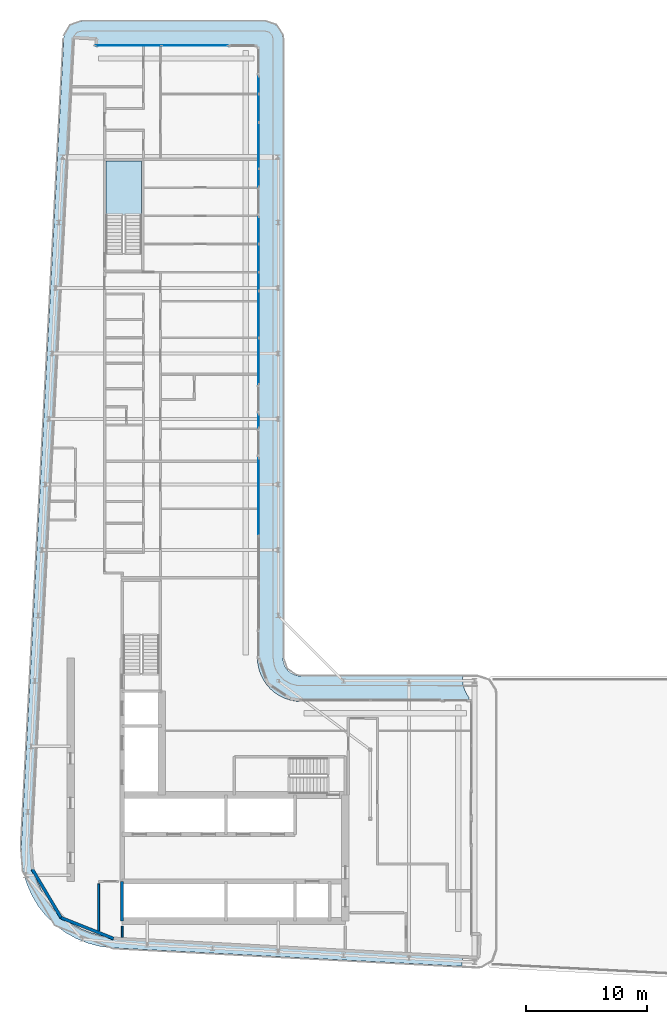
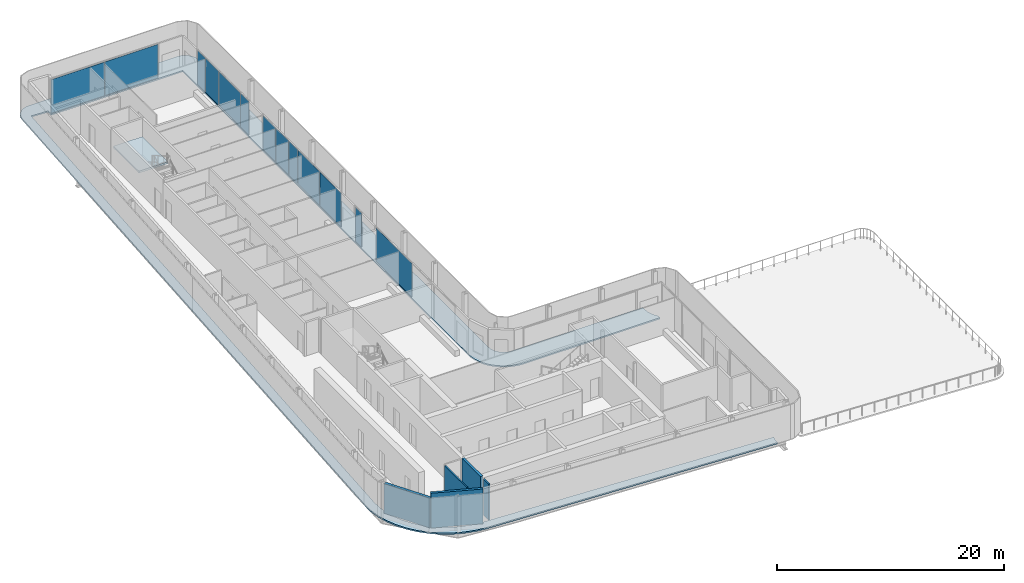
# One storey, part 10 of 22: 13 plates, 5 walls, 2 slabs, 8 elements without a shape of their own.
"""IFC4 building model written with IfcOpenShell, lengths in metres."""

import ifcopenshell
import ifcopenshell.guid

model = None  # the IFC model being written
_history = None  # IfcOwnerHistory: only IFC2X3 demands one
_inside = {}  # id of a spatial element -> (the spatial element, [elements in it])
_under = {}  # id of a project, library or spatial element -> (it, [spatial elements below it])
_declared = {}  # id of a project -> (the project, [libraries it declares])
_typed = {}  # id of a type object -> (the type object, [elements of that type])
_made_of = {}  # id of a material, layer set ... -> (it, [elements and type objects made of it])


def new_model(schema):
    """Start an empty IFC model of exactly this schema.

    Asked for "IFC4X3", IfcOpenShell would pick the latest addendum, in which some entities
    have other attributes; the version numbers below select the first issue.
    IFC2X3 requires an IfcOwnerHistory on every rooted entity: one is made here for all.
    """
    global model, _history
    if schema == "IFC4X3":
        model = ifcopenshell.file(schema_version=(4, 3, 0, 0))
    else:
        model = ifcopenshell.file(schema=schema)
    _inside.clear()
    _under.clear()
    _declared.clear()
    _typed.clear()
    _made_of.clear()
    _history = None
    if model.schema == "IFC2X3":
        org = make("IfcOrganization", Name="unknown")
        user = make(
            "IfcPersonAndOrganization",
            ThePerson=make("IfcPerson", FamilyName="unknown"),
            TheOrganization=org,
        )
        app = make(
            "IfcApplication",
            ApplicationDeveloper=org,
            Version="unknown",
            ApplicationFullName="unknown",
            ApplicationIdentifier="unknown",
        )
        _history = make(
            "IfcOwnerHistory",
            OwningUser=user,
            OwningApplication=app,
            ChangeAction="ADDED",
            CreationDate=0,
        )
    return model


def make(cls, **values):
    """One entity of the class cls with the attributes given. An attribute that is None is left unset."""
    return model.create_entity(
        cls, **{name: value for name, value in values.items() if value is not None}
    )


def rooted(cls, **values):
    """An entity with a GlobalId (a new one), such as an element, a storey or a relation."""
    return make(cls, GlobalId=ifcopenshell.guid.new(), OwnerHistory=_history, **values)


def si_unit(unit_type, name, prefix=None):
    """IfcSIUnit, for example si_unit("LENGTHUNIT", "METRE", prefix="MILLI")."""
    return make("IfcSIUnit", UnitType=unit_type, Prefix=prefix, Name=name)


def assignment(units):
    """IfcUnitAssignment: the units of a project."""
    return None if units is None else make("IfcUnitAssignment", Units=units)


def point(xyz):
    """IfcCartesianPoint."""
    return None if xyz is None else make("IfcCartesianPoint", Coordinates=xyz)


def direction(xyz):
    """IfcDirection."""
    return None if xyz is None else make("IfcDirection", DirectionRatios=xyz)


def frame(location, z_axis=None, x_axis=None):
    """IfcAxis2Placement3D, a coordinate frame: its origin and axes. An axis left out is left unset."""
    return make(
        "IfcAxis2Placement3D",
        Location=point(location),
        Axis=direction(z_axis),
        RefDirection=direction(x_axis),
    )


def frame_2d(location, x_axis=None):
    """IfcAxis2Placement2D, a coordinate frame in the plane: its origin and x axis."""
    return make(
        "IfcAxis2Placement2D", Location=point(location), RefDirection=direction(x_axis)
    )


def origin():
    """The frame at (0, 0, 0) with its axes left unset."""
    return frame((0.0, 0.0, 0.0))


def origin_2d():
    """The frame at (0, 0) in the plane with its x axis left unset."""
    return frame_2d((0.0, 0.0))


def place(relative_to, where):
    """IfcLocalPlacement: puts the frame where relative to a parent placement (None: the world)."""
    return make(
        "IfcLocalPlacement", PlacementRelTo=relative_to, RelativePlacement=where
    )


def context(
    kind, dimensions, precision=None, world=None, true_north=None, identifier=None
):
    """IfcGeometricRepresentationContext, for example the 3D "Model" context."""
    return make(
        "IfcGeometricRepresentationContext",
        ContextIdentifier=identifier,
        ContextType=kind,
        CoordinateSpaceDimension=dimensions,
        Precision=precision,
        WorldCoordinateSystem=world,
        TrueNorth=true_north,
    )


def subcontext(parent, identifier, kind, view, scale=None):
    """IfcGeometricRepresentationSubContext, for example "Body" below "Model"."""
    return make(
        "IfcGeometricRepresentationSubContext",
        ContextIdentifier=identifier,
        ContextType=kind,
        ParentContext=parent,
        TargetScale=scale,
        TargetView=view,
    )


def project(units=None, contexts=None):
    """IfcProject with its units and contexts."""
    return rooted(
        "IfcProject",
        Name="project",
        RepresentationContexts=contexts,
        UnitsInContext=assignment(units),
    )


def spatial(cls, under=None, at=None, **own):
    """A site, building, storey or space (cls), placed at a placement, below another one or the project."""
    s = rooted(cls, ObjectPlacement=at, **own)
    if under is not None:
        _under.setdefault(under.id(), (under, []))[1].append(s)
    return s


def polyline(points):
    """IfcPolyline through the points."""
    return make("IfcPolyline", Points=[point(p) for p in points])


def profile(cls, at=None, kind="AREA", **sizes):
    """A parametric profile (cls). Its sizes go by their IFC names, for example OverallWidth=200.0."""
    return make(cls, ProfileType=kind, Position=at, **sizes)


def rectangle(**sizes):
    """IfcRectangleProfileDef."""
    return profile("IfcRectangleProfileDef", **sizes)


def outline(outer, holes=None, kind="AREA"):
    """IfcArbitraryClosedProfileDef: a profile drawn as a closed curve; with holes, ...WithVoids."""
    if holes is None:
        return make("IfcArbitraryClosedProfileDef", ProfileType=kind, OuterCurve=outer)
    return make(
        "IfcArbitraryProfileDefWithVoids",
        ProfileType=kind,
        OuterCurve=outer,
        InnerCurves=holes,
    )


def extrude(swept, where, along, depth):
    """IfcExtrudedAreaSolid: the profile swept, set in the frame where, extruded along a direction by depth."""
    return make(
        "IfcExtrudedAreaSolid",
        SweptArea=swept,
        Position=where,
        ExtrudedDirection=direction(along),
        Depth=depth,
    )


def shape(context_of_items, identifier, shape_type, items):
    """IfcShapeRepresentation: the items that make up one representation, for example the "Body"."""
    return make(
        "IfcShapeRepresentation",
        ContextOfItems=context_of_items,
        RepresentationIdentifier=identifier,
        RepresentationType=shape_type,
        Items=items,
    )


def material(Name=None, Category=None):
    """IfcMaterial."""
    return make("IfcMaterial", Name=Name, Category=Category)


def layer(
    of_material, thickness, ventilated=None, Name=None, Category=None, Priority=None
):
    """IfcMaterialLayer: one layer of a wall or slab, of a material (None: an air gap)."""
    return make(
        "IfcMaterialLayer",
        Material=of_material,
        LayerThickness=thickness,
        IsVentilated=ventilated,
        Name=Name,
        Category=Category,
        Priority=Priority,
    )


def layer_set(layers, Name=None):
    """IfcMaterialLayerSet."""
    return make("IfcMaterialLayerSet", MaterialLayers=layers, LayerSetName=Name)


def made_of(thing, what):
    """Note that an element or type object is made of a material, layer set ...; save() writes the relation."""
    if what is not None:
        _made_of.setdefault(what.id(), (what, []))[1].append(thing)
    return thing


def type_object(cls, material=None, **own):
    """A type object (cls), such as IfcWallType, which elements share."""
    return made_of(rooted(cls, **own), material)


def element(
    cls,
    number,
    at=None,
    inside=None,
    cuts=None,
    type_object=None,
    material=None,
    context=None,
    identifier="Body",
    shape_type=None,
    held_by="IfcProductDefinitionShape",
    body=None,
    shapes=None,
    **own,
):
    """One element of the class cls, such as IfcWall. Its Tag is "e" and its number.

    at: its placement. inside: the storey or other place that contains it. cuts: it is an
    opening in that element (IfcRelVoidsElement). A single representation is given by context,
    identifier, shape_type and body (its items); several are given by shapes. held_by: the class
    of the entity that holds the representations. save() writes the other relations.
    """
    e = rooted(cls, Tag="e%d" % number, ObjectPlacement=at, **own)
    if body is not None:
        shapes = [shape(context, identifier, shape_type, body)]
    if shapes is not None:
        e.Representation = make(held_by, Representations=shapes)
    if inside is not None:
        _inside.setdefault(inside.id(), (inside, []))[1].append(e)
    if cuts is not None:
        rooted(
            "IfcRelVoidsElement", RelatingBuildingElement=cuts, RelatedOpeningElement=e
        )
    if type_object is not None:
        _typed.setdefault(type_object.id(), (type_object, []))[1].append(e)
    return made_of(e, material)


def aggregate(whole, parts):
    """IfcRelAggregates: a whole, such as a stair, and the parts it consists of."""
    return rooted("IfcRelAggregates", RelatingObject=whole, RelatedObjects=parts)


def save(model, path):
    """Write the relations noted so far, then the file.

    IfcRelAggregates (storeys below a building ...), IfcRelContainedInSpatialStructure (elements
    in a storey), IfcRelDefinesByType, IfcRelAssociatesMaterial and IfcRelDeclares: one each for
    every whole, place, type object, material and project.
    """
    for whole, parts in _under.values():
        aggregate(whole, parts)
    for where, things in _inside.values():
        rooted(
            "IfcRelContainedInSpatialStructure",
            RelatedElements=things,
            RelatingStructure=where,
        )
    for kind, things in _typed.values():
        rooted("IfcRelDefinesByType", RelatedObjects=things, RelatingType=kind)
    for what, things in _made_of.values():
        rooted("IfcRelAssociatesMaterial", RelatedObjects=things, RelatingMaterial=what)
    for by, libraries in _declared.values():
        rooted("IfcRelDeclares", RelatingContext=by, RelatedDefinitions=libraries)
    model.write(path)


model = new_model("IFC4")

# Units and contexts
model_context = context("Model", 3, precision=1e-05, world=origin(), true_north=direction((0.0, 1.0)))
body_context = subcontext(model_context, "Body", "Model", "MODEL_VIEW")
ifc_project = project(units=[si_unit("LENGTHUNIT", "METRE"), si_unit("AREAUNIT", "SQUARE_METRE"), si_unit("VOLUMEUNIT", "CUBIC_METRE"), si_unit("PLANEANGLEUNIT", "RADIAN"), si_unit("MASSUNIT", "GRAM", prefix="KILO")], contexts=[model_context])

# Site, building, storey
site_placement = place(None, origin())
site = spatial("IfcSite", under=ifc_project, at=site_placement, CompositionType="ELEMENT")
building_placement = place(site_placement, origin())
building = spatial("IfcBuilding", under=site, at=building_placement, Name="Kheshtan School and Residences Tower", CompositionType="ELEMENT")
storey_placement = place(building_placement, frame((0.0, 0.0, 274.699951171875)))
storey = spatial("IfcBuildingStorey", under=building, at=storey_placement, Name="L64", CompositionType="ELEMENT", Elevation=274.699951171875)

# Curtain wall, plates
ifc_material_1 = material(Name="Clear low-e glass in thermally broken aluminium frame", Category="aluminium")
ifc_layer_1 = layer(ifc_material_1, 0.199951171875)
ifc_layer_set_1 = layer_set([ifc_layer_1], Name="Curtain wall CW-L")
curtain_wall_type = type_object("IfcCurtainWallType", Name="Curtain wall CW-L", PredefinedType="NOTDEFINED", material=ifc_layer_set_1)
curtain_wall_1_placement = place(storey_placement, origin())
curtain_wall_1 = element("IfcCurtainWall", 1, at=curtain_wall_1_placement, inside=storey, type_object=curtain_wall_type, Name="Curtain wall CWL7", PredefinedType="NOTDEFINED")
ifc_layer_2 = layer(ifc_material_1, 0.031982421875)
ifc_layer_set_2 = layer_set([ifc_layer_2], Name="CW-L glass panel")
plate_type = type_object("IfcPlateType", Name="CW-L glass panel", PredefinedType="CURTAIN_PANEL", material=ifc_layer_set_2)
plate_1_placement = place(storey_placement, frame((35.259033203125, 98.0, 0.0), z_axis=(0.0, 0.0, 1.0), x_axis=(1.0, 0.0, 0.0)))
plate_1 = element("IfcPlate", 2, at=plate_1_placement, type_object=plate_type, Name="CWL7 panel 1.1", PredefinedType="CURTAIN_PANEL", context=body_context, shape_type="SweptSolid", body=[
    extrude(rectangle(XDim=5.4140625, YDim=0.031982421875, at=origin_2d()), origin(), (0.0, 0.0, 1.0), 3.6298828125),
])
plate_2_placement = place(storey_placement, frame((40.73291015625, 98.0, 0.0), z_axis=(0.0, 0.0, 1.0), x_axis=(1.0, 0.0, 0.0)))
plate_2 = element("IfcPlate", 3, at=plate_2_placement, type_object=plate_type, Name="CWL7 panel 2.1", PredefinedType="CURTAIN_PANEL", context=body_context, shape_type="SweptSolid", body=[
    extrude(rectangle(XDim=5.4140625, YDim=0.031982421875, at=origin_2d()), origin(), (0.0, 0.0, 1.0), 3.6298828125),
])
aggregate(curtain_wall_1, [plate_1, plate_2])

curtain_wall_2_placement = place(storey_placement, origin())
curtain_wall_2 = element("IfcCurtainWall", 4, at=curtain_wall_2_placement, inside=storey, type_object=curtain_wall_type, Name="Curtain wall CWL8c", PredefinedType="NOTDEFINED")
plate_3_placement = place(storey_placement, frame((46.0, 94.735107421875, 0.0), z_axis=(0.0, 0.0, 1.0), x_axis=(0.0, -1.0, 0.0)))
plate_3 = element("IfcPlate", 5, at=plate_3_placement, type_object=plate_type, Name="CWL8c panel 1.1", PredefinedType="CURTAIN_PANEL", context=body_context, shape_type="SweptSolid", body=[
    extrude(rectangle(XDim=1.409912109375, YDim=0.031982421875, at=origin_2d()), origin(), (0.0, 0.0, 1.0), 3.6298828125),
])
plate_4_placement = place(storey_placement, frame((46.0, 92.826416015625, 0.0), z_axis=(0.0, 0.0, 1.0), x_axis=(0.0, -1.0, 0.0)))
plate_4 = element("IfcPlate", 6, at=plate_4_placement, type_object=plate_type, Name="CWL8c panel 2.1", PredefinedType="CURTAIN_PANEL", context=body_context, shape_type="SweptSolid", body=[
    extrude(rectangle(XDim=2.287109375, YDim=0.031982421875, at=origin_2d()), origin(), (0.0, 0.0, 1.0), 3.6298828125),
])
plate_5_placement = place(storey_placement, frame((46.0, 89.744384765625, 0.0), z_axis=(0.0, 0.0, 1.0), x_axis=(0.0, -1.0, 0.0)))
plate_5 = element("IfcPlate", 7, at=plate_5_placement, type_object=plate_type, Name="CWL8c panel 3.1", PredefinedType="CURTAIN_PANEL", context=body_context, shape_type="SweptSolid", body=[
    extrude(rectangle(XDim=3.757080078125, YDim=0.031982421875, at=origin_2d()), origin(), (0.0, 0.0, 1.0), 3.6298828125),
])
aggregate(curtain_wall_2, [plate_3, plate_4, plate_5])

# Curtain wall, plate
curtain_wall_3_placement = place(storey_placement, origin())
curtain_wall_3 = element("IfcCurtainWall", 8, at=curtain_wall_3_placement, inside=storey, type_object=curtain_wall_type, Name="Curtain wall CWL8a", PredefinedType="NOTDEFINED")
plate_6_placement = place(storey_placement, frame((46.0, 87.0859375, 0.0), z_axis=(0.0, 0.0, 1.0), x_axis=(0.0, -1.0, 0.0)))
plate_6 = element("IfcPlate", 9, at=plate_6_placement, type_object=plate_type, Name="CWL8a panel 1.1", PredefinedType="CURTAIN_PANEL", context=body_context, shape_type="SweptSolid", body=[
    extrude(rectangle(XDim=1.43994140625, YDim=0.031982421875, at=origin_2d()), origin(), (0.0, 0.0, 1.0), 3.6298828125),
])
aggregate(curtain_wall_3, [plate_6])

# Curtain wall, plates
curtain_wall_4_placement = place(storey_placement, origin())
curtain_wall_4 = element("IfcCurtainWall", 10, at=curtain_wall_4_placement, inside=storey, type_object=curtain_wall_type, Name="Curtain wall CWL8b", PredefinedType="NOTDEFINED")
plate_7_placement = place(storey_placement, frame((46.0, 82.75048828125, 0.0), z_axis=(0.0, 0.0, 1.0), x_axis=(0.0, -1.0, 0.0)))
plate_7 = element("IfcPlate", 11, at=plate_7_placement, type_object=plate_type, Name="CWL8b panel 1.1", PredefinedType="CURTAIN_PANEL", context=body_context, shape_type="SweptSolid", body=[
    extrude(rectangle(XDim=2.19091796875, YDim=0.031982421875, at=origin_2d()), origin(), (0.0, 0.0, 1.0), 3.6298828125),
])
plate_8_placement = place(storey_placement, frame((46.0, 80.46240234375, 0.0), z_axis=(0.0, 0.0, 1.0), x_axis=(0.0, -1.0, 0.0)))
plate_8 = element("IfcPlate", 12, at=plate_8_placement, type_object=plate_type, Name="CWL8b panel 2.1", PredefinedType="CURTAIN_PANEL", context=body_context, shape_type="SweptSolid", body=[
    extrude(rectangle(XDim=2.264892578125, YDim=0.031982421875, at=origin_2d()), origin(), (0.0, 0.0, 1.0), 3.6298828125),
])
plate_9_placement = place(storey_placement, frame((46.0, 78.52099609375, 0.0), z_axis=(0.0, 0.0, 1.0), x_axis=(0.0, -1.0, 0.0)))
plate_9 = element("IfcPlate", 13, at=plate_9_placement, type_object=plate_type, Name="CWL8b panel 3.1", PredefinedType="CURTAIN_PANEL", context=body_context, shape_type="SweptSolid", body=[
    extrude(rectangle(XDim=1.498046875, YDim=0.031982421875, at=origin_2d()), origin(), (0.0, 0.0, 1.0), 3.6298828125),
])
aggregate(curtain_wall_4, [plate_7, plate_8, plate_9])

curtain_wall_5_placement = place(storey_placement, origin())
curtain_wall_5 = element("IfcCurtainWall", 14, at=curtain_wall_5_placement, inside=storey, type_object=curtain_wall_type, Name="Curtain wall CWL8", PredefinedType="NOTDEFINED")
plate_10_placement = place(storey_placement, frame((46.0, 75.803466796875, 0.0), z_axis=(0.0, 0.0, 1.0), x_axis=(0.0, -1.0, 0.0)))
plate_10 = element("IfcPlate", 15, at=plate_10_placement, type_object=plate_type, Name="CWL8 panel 1.1", PredefinedType="CURTAIN_PANEL", context=body_context, shape_type="SweptSolid", body=[
    extrude(rectangle(XDim=3.81689453125, YDim=0.031982421875, at=origin_2d()), origin(), (0.0, 0.0, 1.0), 3.6298828125),
])
plate_11_placement = place(storey_placement, frame((46.0, 71.95654296875, 0.0), z_axis=(0.0, 0.0, 1.0), x_axis=(0.0, -1.0, 0.0)))
plate_11 = element("IfcPlate", 16, at=plate_11_placement, type_object=plate_type, Name="CWL8 panel 2.1", PredefinedType="CURTAIN_PANEL", context=body_context, shape_type="SweptSolid", body=[
    extrude(rectangle(XDim=3.757080078125, YDim=0.031982421875, at=origin_2d()), origin(), (0.0, 0.0, 1.0), 3.6298828125),
])
aggregate(curtain_wall_5, [plate_10, plate_11])

# Curtain wall, plate
curtain_wall_6_placement = place(storey_placement, origin())
curtain_wall_6 = element("IfcCurtainWall", 17, at=curtain_wall_6_placement, inside=storey, type_object=curtain_wall_type, Name="Curtain wall CWL8g", PredefinedType="NOTDEFINED")
plate_12_placement = place(storey_placement, frame((46.0, 67.01806640625, 0.0), z_axis=(0.0, 0.0, 1.0), x_axis=(0.0, -1.0, 0.0)))
plate_12 = element("IfcPlate", 18, at=plate_12_placement, type_object=plate_type, Name="CWL8g panel 1.1", PredefinedType="CURTAIN_PANEL", context=body_context, shape_type="SweptSolid", body=[
    extrude(rectangle(XDim=1.080078125, YDim=0.031982421875, at=origin_2d()), origin(), (0.0, 0.0, 1.0), 3.6298828125),
])
aggregate(curtain_wall_6, [plate_12])

curtain_wall_7_placement = place(storey_placement, origin())
curtain_wall_7 = element("IfcCurtainWall", 19, at=curtain_wall_7_placement, inside=storey, type_object=curtain_wall_type, Name="Curtain wall CWL8h", PredefinedType="NOTDEFINED")
plate_13_placement = place(storey_placement, frame((46.0, 60.77099609375, 0.0), z_axis=(0.0, 0.0, 1.0), x_axis=(0.0, -1.0, 0.0)))
plate_13 = element("IfcPlate", 20, at=plate_13_placement, type_object=plate_type, Name="CWL8h panel 1.1", PredefinedType="CURTAIN_PANEL", context=body_context, shape_type="SweptSolid", body=[
    extrude(rectangle(XDim=6.3740234375, YDim=0.031982421875, at=origin_2d()), origin(), (0.0, 0.0, 1.0), 3.6298828125),
])
aggregate(curtain_wall_7, [plate_13])

# Slab
ifc_material_2 = material(Name="Concrete C40/50", Category="concrete")
ifc_layer_3 = layer(ifc_material_2, 0.14990234375)
ifc_layer_set_3 = layer_set([ifc_layer_3], Name="Loggia balcony slab 150 Concrete C40/50")
slab_type_1 = type_object("IfcSlabType", Name="Loggia balcony slab 150 Concrete C40/50", PredefinedType="FLOOR", material=ifc_layer_set_3)
slab_1_placement = place(storey_placement, frame((0.0, 0.0, -0.14990234375)))
element("IfcSlab", 21, at=slab_1_placement, inside=storey, type_object=slab_type_1, Name="Loggia balcony slab L64", PredefinedType="FLOOR", context=body_context, shape_type="SweptSolid", body=[
    extrude(outline(polyline([(28.4609375, 26.219970703125), (28.4599609375, 26.219970703125), (28.4599609375, 26.220947265625), (28.458984375, 26.220947265625), (27.81494140625, 27.0390625), (27.281005859375, 27.93798828125), (26.867919921875, 28.89990234375), (26.583984375, 29.903076171875), (26.583984375, 29.906982421875), (26.43408203125, 30.943115234375), (26.419921875, 31.989013671875), (29.925048828125, 98.5791015625), (29.930908203125, 98.626953125), (29.930908203125, 98.6279296875), (29.929931640625, 98.6279296875), (29.929931640625, 98.62890625), (29.928955078125, 98.62890625), (29.928955078125, 98.6298828125), (29.927978515625, 98.6298828125), (29.927978515625, 98.631103515625), (29.927001953125, 98.631103515625), (29.927001953125, 98.632080078125), (29.927001953125, 98.633056640625), (29.945068359375, 98.781005859375), (29.945068359375, 98.783935546875), (29.945068359375, 98.784912109375), (29.946044921875, 98.784912109375), (29.946044921875, 98.785888671875), (29.947021484375, 98.785888671875), (29.947021484375, 98.787109375), (29.947998046875, 98.787109375), (29.948974609375, 98.787109375), (29.948974609375, 98.7880859375), (29.949951171875, 98.7880859375), (30.0029296875, 98.98388671875), (30.083984375, 99.175048828125), (30.18896484375, 99.35302734375), (30.31396484375, 99.510009765625), (30.31494140625, 99.510009765625), (30.31494140625, 99.510986328125), (30.31591796875, 99.510986328125), (30.31591796875, 99.511962890625), (30.31689453125, 99.511962890625), (30.31689453125, 99.512939453125), (30.318115234375, 99.512939453125), (30.318115234375, 99.513916015625), (30.468017578125, 99.656982421875), (30.468994140625, 99.656982421875), (30.468994140625, 99.657958984375), (30.469970703125, 99.657958984375), (30.469970703125, 99.658935546875), (30.470947265625, 99.658935546875), (30.470947265625, 99.659912109375), (30.471923828125, 99.659912109375), (30.471923828125, 99.660888671875), (30.635986328125, 99.777099609375), (30.820068359375, 99.873046875), (31.010009765625, 99.943115234375), (31.013916015625, 99.943115234375), (31.217041015625, 99.986083984375), (31.423095703125, 100.0), (46.5, 100.0), (46.696044921875, 99.987060546875), (46.887939453125, 99.948974609375), (46.89208984375, 99.948974609375), (47.073974609375, 99.885986328125), (47.243896484375, 99.801025390625), (47.2451171875, 99.801025390625), (47.2470703125, 99.801025390625), (47.248046875, 99.801025390625), (47.248046875, 99.802001953125), (47.2490234375, 99.802001953125), (47.2490234375, 99.802978515625), (47.25, 99.802978515625), (47.2529296875, 99.802978515625), (47.25390625, 99.802978515625), (47.25390625, 99.802001953125), (47.2548828125, 99.802001953125), (47.2548828125, 99.801025390625), (47.256103515625, 99.801025390625), (47.256103515625, 99.800048828125), (47.257080078125, 99.800048828125), (47.257080078125, 99.799072265625), (47.258056640625, 99.799072265625), (47.258056640625, 99.798095703125), (47.412109375, 99.696044921875), (47.4130859375, 99.696044921875), (47.4130859375, 99.695068359375), (47.4140625, 99.695068359375), (47.4140625, 99.694091796875), (47.4140625, 99.68994140625), (47.4140625, 99.68896484375), (47.4150390625, 99.68896484375), (47.4150390625, 99.68798828125), (47.416015625, 99.68798828125), (47.416015625, 99.68701171875), (47.4169921875, 99.68701171875), (47.4169921875, 99.68603515625), (47.55810546875, 99.56494140625), (47.55810546875, 99.56396484375), (47.55908203125, 99.56396484375), (47.55908203125, 99.56298828125), (47.56005859375, 99.56298828125), (47.56005859375, 99.56201171875), (47.56103515625, 99.56201171875), (47.56201171875, 99.56103515625), (47.56201171875, 99.56005859375), (47.56298828125, 99.56005859375), (47.56298828125, 99.55908203125), (47.56396484375, 99.55908203125), (47.56396484375, 99.55810546875), (47.56494140625, 99.55810546875), (47.68505859375, 99.41796875), (47.68603515625, 99.41796875), (47.68603515625, 99.4169921875), (47.68701171875, 99.4169921875), (47.68701171875, 99.416015625), (47.68798828125, 99.416015625), (47.68798828125, 99.4150390625), (47.68896484375, 99.4150390625), (47.68896484375, 99.4140625), (47.68994140625, 99.4140625), (47.694091796875, 99.4140625), (47.695068359375, 99.4140625), (47.695068359375, 99.4130859375), (47.696044921875, 99.4130859375), (47.696044921875, 99.412109375), (47.797119140625, 99.259033203125), (47.798095703125, 99.259033203125), (47.798095703125, 99.258056640625), (47.799072265625, 99.258056640625), (47.799072265625, 99.257080078125), (47.800048828125, 99.257080078125), (47.800048828125, 99.256103515625), (47.801025390625, 99.256103515625), (47.801025390625, 99.2548828125), (47.802001953125, 99.2548828125), (47.802001953125, 99.25390625), (47.802978515625, 99.25390625), (47.802978515625, 99.2529296875), (47.802978515625, 99.25), (47.802978515625, 99.2490234375), (47.802001953125, 99.2490234375), (47.802001953125, 99.248046875), (47.801025390625, 99.248046875), (47.801025390625, 99.2470703125), (47.801025390625, 99.243896484375), (47.801025390625, 99.242919921875), (47.885986328125, 99.073974609375), (47.948974609375, 98.89208984375), (47.948974609375, 98.887939453125), (47.987060546875, 98.696044921875), (48.0, 98.5), (48.0, 47.5), (48.012939453125, 47.303955078125), (48.051025390625, 47.113037109375), (48.051025390625, 47.110107421875), (48.051025390625, 47.10888671875), (48.114013671875, 46.926025390625), (48.200927734375, 46.75), (48.31005859375, 46.5869140625), (48.43505859375, 46.44091796875), (48.43603515625, 46.44091796875), (48.43603515625, 46.43994140625), (48.43701171875, 46.43994140625), (48.43701171875, 46.43896484375), (48.43798828125, 46.43896484375), (48.43896484375, 46.43798828125), (48.43896484375, 46.43701171875), (48.43994140625, 46.43701171875), (48.43994140625, 46.43603515625), (48.44091796875, 46.43603515625), (48.44091796875, 46.43505859375), (48.5869140625, 46.31005859375), (48.75, 46.200927734375), (48.926025390625, 46.114013671875), (49.10888671875, 46.051025390625), (49.110107421875, 46.051025390625), (49.113037109375, 46.051025390625), (49.303955078125, 46.012939453125), (49.5, 46.0), (62.840087890625, 46.0), (62.841064453125, 46.0), (62.841064453125, 45.9990234375), (62.826904296875, 45.863037109375), (62.825927734375, 45.837890625), (62.825927734375, 45.662109375), (62.826904296875, 45.636962890625), (62.85498046875, 45.363037109375), (62.85888671875, 45.339111328125), (62.89501953125, 45.1669921875), (62.90087890625, 45.14306640625), (62.90087890625, 45.138916015625), (62.90087890625, 45.137939453125), (62.95703125, 44.9541015625), (62.965087890625, 44.930908203125), (63.074951171875, 44.669921875), (63.0859375, 44.64794921875), (63.14404296875, 44.5400390625), (63.156005859375, 44.51904296875), (63.305908203125, 44.291015625), (63.321044921875, 44.27099609375), (63.35009765625, 44.235107421875), (63.35009765625, 43.90087890625), (63.35009765625, 43.89990234375), (63.34912109375, 43.89990234375), (49.429931640625, 43.89990234375), (49.030029296875, 43.927001953125), (48.569091796875, 44.01806640625), (48.56494140625, 44.01806640625), (48.1201171875, 44.169921875), (47.697021484375, 44.37890625), (47.30810546875, 44.638916015625), (46.9541015625, 44.947021484375), (46.9541015625, 44.947998046875), (46.952880859375, 44.947998046875), (46.952880859375, 44.948974609375), (46.951904296875, 44.948974609375), (46.951904296875, 44.949951171875), (46.950927734375, 44.949951171875), (46.949951171875, 44.950927734375), (46.949951171875, 44.951904296875), (46.948974609375, 44.951904296875), (46.948974609375, 44.952880859375), (46.947998046875, 44.952880859375), (46.947998046875, 44.9541015625), (46.947021484375, 44.9541015625), (46.638916015625, 45.30810546875), (46.37890625, 45.697021484375), (46.169921875, 46.1201171875), (46.01806640625, 46.56494140625), (46.01806640625, 46.569091796875), (45.927001953125, 47.030029296875), (45.89990234375, 47.429931640625), (45.89990234375, 97.89794921875), (45.89990234375, 97.89892578125), (45.89892578125, 97.89892578125), (45.89892578125, 97.89990234375), (45.89794921875, 97.89990234375), (32.492919921875, 97.89990234375), (32.491943359375, 97.89990234375), (32.52099609375, 98.43994140625), (32.52099609375, 98.44091796875), (32.52001953125, 98.44091796875), (32.52001953125, 98.44189453125), (32.51904296875, 98.44189453125), (32.51806640625, 98.44189453125), (30.827880859375, 98.531982421875), (30.826904296875, 98.531982421875), (30.826904296875, 98.531005859375), (30.825927734375, 98.531005859375), (30.825927734375, 98.530029296875), (30.825927734375, 98.529052734375), (30.822021484375, 98.5009765625), (27.320068359375, 31.970947265625), (27.3330078125, 31.013916015625), (27.466064453125, 30.093994140625), (27.466064453125, 30.091064453125), (27.466064453125, 30.090087890625), (27.718017578125, 29.200927734375), (28.0849609375, 28.345947265625), (28.55908203125, 27.550048828125), (29.1298828125, 26.822998046875), (29.131103515625, 26.822998046875), (29.131103515625, 26.822021484375), (29.132080078125, 26.822021484375), (29.132080078125, 26.821044921875), (29.133056640625, 26.821044921875), (29.133056640625, 26.820068359375), (29.134033203125, 26.820068359375), (29.798095703125, 26.173095703125), (29.798095703125, 26.172119140625), (29.799072265625, 26.172119140625), (29.799072265625, 26.1708984375), (29.800048828125, 26.1708984375), (29.800048828125, 26.169921875), (29.801025390625, 26.169921875), (29.801025390625, 26.1689453125), (30.541015625, 25.616943359375), (31.35205078125, 25.1630859375), (32.2119140625, 24.819091796875), (32.212890625, 24.819091796875), (32.216064453125, 24.819091796875), (33.114990234375, 24.590087890625), (34.06591796875, 24.47705078125), (62.884033203125, 22.9599609375), (62.885009765625, 22.9599609375), (62.885009765625, 22.958984375), (62.885009765625, 22.955078125), (62.83203125, 22.803955078125), (62.83203125, 22.802978515625), (62.83203125, 22.799072265625), (62.825927734375, 22.77490234375), (62.79296875, 22.617919921875), (62.7890625, 22.594970703125), (62.763916015625, 22.40087890625), (62.761962890625, 22.376953125), (62.756103515625, 22.10205078125), (62.757080078125, 22.077880859375), (62.758056640625, 22.06689453125), (62.758056640625, 22.06591796875), (33.989013671875, 23.580078125), (33.94091796875, 23.5859375), (33.93994140625, 23.5859375), (33.93994140625, 23.5849609375), (33.93896484375, 23.5849609375), (33.93896484375, 23.583984375), (33.93798828125, 23.583984375), (33.93798828125, 23.5830078125), (33.93701171875, 23.5830078125), (33.93701171875, 23.58203125), (33.93603515625, 23.58203125), (33.93505859375, 23.58203125), (32.952880859375, 23.697998046875), (32.949951171875, 23.697998046875), (32.948974609375, 23.697998046875), (32.948974609375, 23.698974609375), (32.947998046875, 23.698974609375), (32.947998046875, 23.699951171875), (32.947021484375, 23.699951171875), (32.947021484375, 23.700927734375), (32.947021484375, 23.702880859375), (32.947021484375, 23.7041015625), (32.946044921875, 23.7041015625), (32.946044921875, 23.705078125), (32.945068359375, 23.705078125), (32.944091796875, 23.705078125), (31.93603515625, 23.9609375), (31.931884765625, 23.9609375), (30.964111328125, 24.34912109375), (30.051025390625, 24.860107421875), (29.216064453125, 25.48193359375), (29.216064453125, 25.48291015625), (29.215087890625, 25.48291015625), (29.215087890625, 25.48388671875), (29.214111328125, 25.48388671875), (29.214111328125, 25.485107421875), (29.212890625, 25.485107421875), (29.212890625, 25.486083984375), (29.2119140625, 25.486083984375), (28.462890625, 26.217041015625), (28.462890625, 26.218017578125), (28.4619140625, 26.218017578125), (28.4619140625, 26.218994140625), (28.4609375, 26.218994140625), (28.4609375, 26.219970703125)])), origin(), (0.0, 0.0, 1.0), 0.14990234375),
])

# Stair, slab
stair_type = type_object("IfcStairType", Name="Exit stair, half-turn", PredefinedType="HALF_TURN_STAIR", material=ifc_material_2)
stair_placement = place(storey_placement, origin())
stair = element("IfcStair", 22, at=stair_placement, inside=storey, type_object=stair_type, Name="L64 Protected Exit Stair ST3", PredefinedType="HALF_TURN_STAIR")
ifc_layer_4 = layer(ifc_material_2, 0.199951171875)
ifc_layer_set_4 = layer_set([ifc_layer_4], Name="Stair landing 200 Concrete C40/50")
slab_type_2 = type_object("IfcSlabType", Name="Stair landing 200 Concrete C40/50", PredefinedType="LANDING", material=ifc_layer_set_4)
slab_2_placement = place(storey_placement, frame((0.0, 0.0, 1.75)))
slab_2 = element("IfcSlab", 23, at=slab_2_placement, type_object=slab_type_2, Name="ST3 landing 1", PredefinedType="LANDING", context=body_context, shape_type="SweptSolid", body=[
    extrude(outline(polyline([(36.35009765625, 83.97998046875), (36.35009765625, 88.4599609375), (33.39990234375, 88.4599609375), (33.39990234375, 83.97998046875), (36.35009765625, 83.97998046875)])), origin(), (0.0, 0.0, 1.0), 0.199951171875),
])
aggregate(stair, [slab_2])

# Walls
ifc_material_3 = material(Name="Concrete C40/50 with ceramic cladding and mineral wool insulation", Category="concrete")
ifc_layer_5 = layer(ifc_material_3, 0.25)
ifc_layer_set_5 = layer_set([ifc_layer_5], Name="External wall 250 ceramic clad")
wall_type_1 = type_object("IfcWallType", Name="External wall 250 ceramic clad", PredefinedType="SOLIDWALL", material=ifc_layer_set_5)
wall_1_placement = place(storey_placement, frame((34.0390625, 24.35302734375, 0.0), z_axis=(0.0, 0.0, 1.0), x_axis=(-0.929352825399, 0.369192803184, 0.0)))
element("IfcWall", 24, at=wall_1_placement, inside=storey, type_object=wall_type_1, Name="External wall L64 1", PredefinedType="SOLIDWALL", context=body_context, shape_type="SweptSolid", body=[
    extrude(rectangle(XDim=4.656005859375, YDim=0.25, at=frame_2d((2.328125, 0.0))), origin(), (0.0, 0.0, 1.0), 3.75),
])
wall_2_placement = place(storey_placement, frame((29.7119140625, 26.072021484375, 0.0), z_axis=(0.0, 0.0, 1.0), x_axis=(-0.511028049012, 0.859564036662, 0.0)))
element("IfcWall", 25, at=wall_2_placement, inside=storey, type_object=wall_type_1, Name="External wall L64 2", PredefinedType="SOLIDWALL", context=body_context, shape_type="SweptSolid", body=[
    extrude(rectangle(XDim=4.633544921875, YDim=0.25, at=frame_2d((2.31689453125, 0.0))), origin(), (0.0, 0.0, 1.0), 3.217041015625),
])
ifc_material_4 = material(Name="Fire-board shaft wall system")
ifc_layer_6 = layer(ifc_material_4, 0.14990234375)
ifc_layer_set_6 = layer_set([ifc_layer_6], Name="Service room wall 150")
wall_type_2 = type_object("IfcWallType", Name="Service room wall 150", PredefinedType="PARTITIONING", material=ifc_layer_set_6)
wall_3_placement = place(storey_placement, frame((34.75, 24.444091796875, 0.0), z_axis=(0.0, 0.0, 1.0), x_axis=(0.0, 1.0, 0.0)))
element("IfcWall", 26, at=wall_3_placement, inside=storey, type_object=wall_type_2, Name="Service room wall", PredefinedType="PARTITIONING", context=body_context, shape_type="SweptSolid", body=[
    extrude(rectangle(XDim=0.935791015625, YDim=0.14990234375, at=frame_2d((0.4677734375, 0.0))), origin(), (0.0, 0.0, 1.0), 3.900146484375),
])
wall_4_placement = place(storey_placement, frame((32.804931640625, 24.97998046875, 0.0), z_axis=(0.0, 0.0, 1.0), x_axis=(0.0, 1.0, 0.0)))
element("IfcWall", 27, at=wall_4_placement, inside=storey, type_object=wall_type_2, Name="Service room wall", PredefinedType="PARTITIONING", context=body_context, shape_type="SweptSolid", body=[
    extrude(rectangle(XDim=3.875, YDim=0.14990234375, at=frame_2d((1.9375, 0.0))), origin(), (0.0, 0.0, 1.0), 3.900146484375),
])
ifc_layer_7 = layer(ifc_material_4, 0.25)
ifc_layer_set_7 = layer_set([ifc_layer_7], Name="Shaft lining wall 250")
wall_type_3 = type_object("IfcWallType", Name="Shaft lining wall 250", PredefinedType="PARTITIONING", material=ifc_layer_set_7)
wall_5_placement = place(storey_placement, frame((34.75, 25.800048828125, 0.0), z_axis=(0.0, 0.0, 1.0), x_axis=(0.0, 1.0, 0.0)))
element("IfcWall", 28, at=wall_5_placement, inside=storey, type_object=wall_type_3, Name="Shaft lining wall", PredefinedType="PARTITIONING", context=body_context, shape_type="SweptSolid", body=[
    extrude(rectangle(XDim=3.25, YDim=0.25, at=frame_2d((1.625, 0.0))), origin(), (0.0, 0.0, 1.0), 3.900146484375),
])

save(model, "model.ifc")
